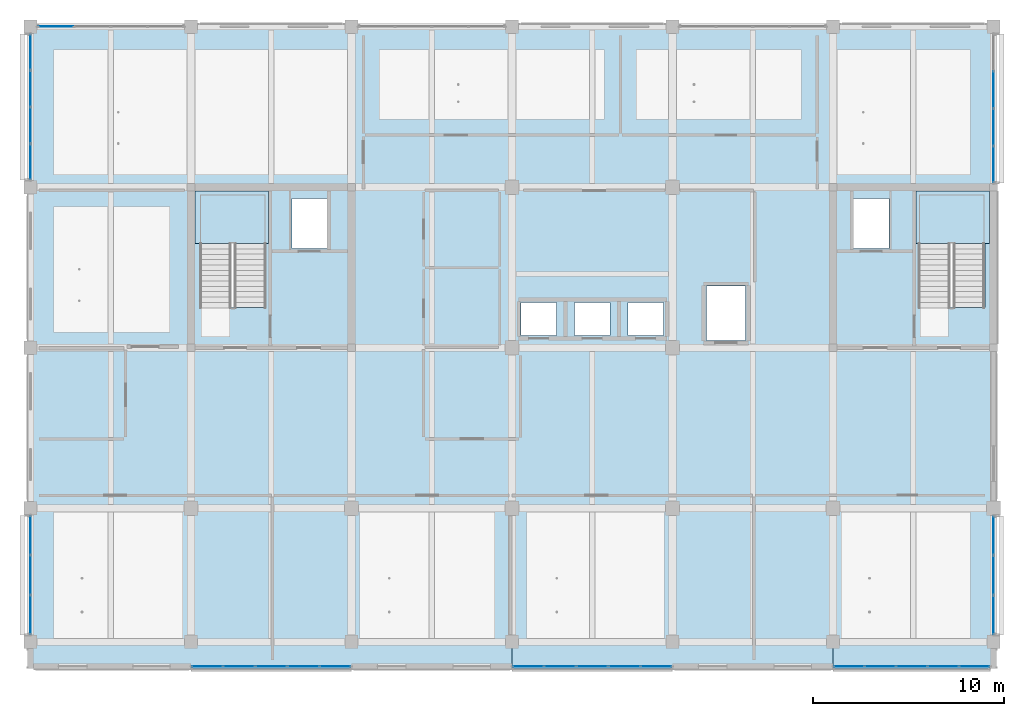
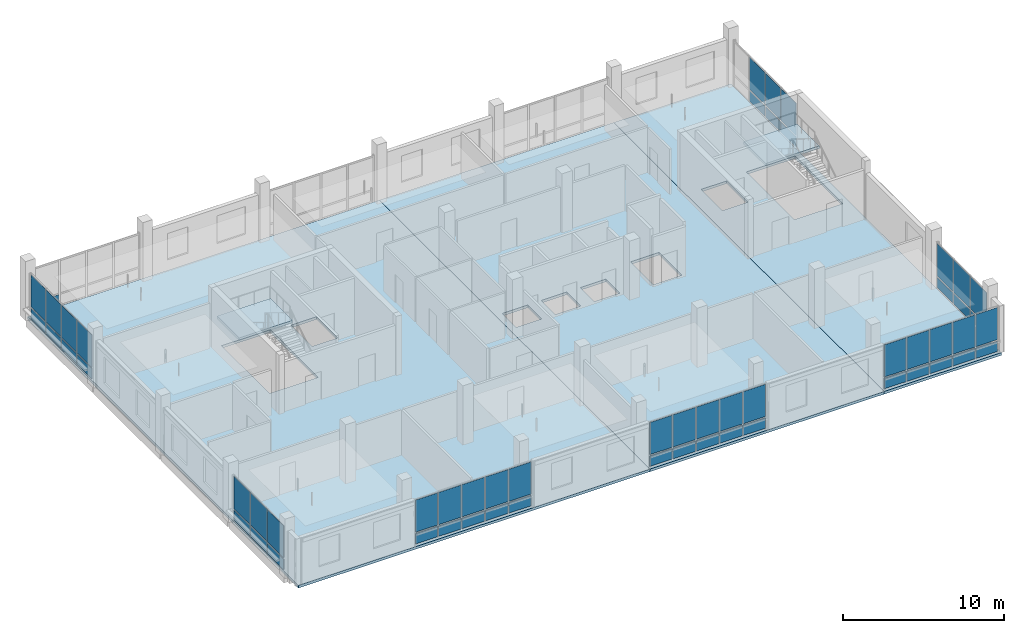
# One storey, part 10 of 32: 57 plates, 5 slabs, 10 elements without a shape of their own.
"""IFC4 building model written with IfcOpenShell, lengths in metres."""

from ifc_helpers import new_model, si_unit, direction, frame, origin, origin_2d, place, context, subcontext, project, spatial, polyline, rectangle, outline, extrude, material, layer, layer_set, type_object, element, aggregate, save


model = new_model("IFC4")

# Units and contexts
model_context = context("Model", 3, precision=1e-05, world=origin(), true_north=direction((0.0, 1.0)))
body_context = subcontext(model_context, "Body", "Model", "MODEL_VIEW")
ifc_project = project(units=[si_unit("LENGTHUNIT", "METRE"), si_unit("AREAUNIT", "SQUARE_METRE"), si_unit("VOLUMEUNIT", "CUBIC_METRE"), si_unit("PLANEANGLEUNIT", "RADIAN"), si_unit("MASSUNIT", "GRAM", prefix="KILO")], contexts=[model_context])

# Site, building, storey
site_placement = place(None, origin())
site = spatial("IfcSite", under=ifc_project, at=site_placement, CompositionType="ELEMENT")
building_placement = place(site_placement, origin())
building = spatial("IfcBuilding", under=site, at=building_placement, Name="Telukmera Botanical Conservatory", CompositionType="ELEMENT")
storey_placement = place(building_placement, frame((0.0, 0.0, 42.0)))
storey = spatial("IfcBuildingStorey", under=building, at=storey_placement, Name="L09", CompositionType="ELEMENT", Elevation=42.0)

# Stair, slab
ifc_material_1 = material(Name="Concrete C40/50", Category="concrete")
stair_type = type_object("IfcStairType", Name="ST-ESC-4500", PredefinedType="HALF_TURN_STAIR", material=ifc_material_1)
stair_1_placement = place(storey_placement, origin())
stair_1 = element("IfcStair", 1, at=stair_1_placement, inside=storey, type_object=stair_type, Name="L09 Protected Escape Stair ST1", PredefinedType="HALF_TURN_STAIR")
ifc_layer_1 = layer(ifc_material_1, 0.199951171875)
ifc_layer_set_1 = layer_set([ifc_layer_1], Name="Concrete C40/50")
slab_type_1 = type_object("IfcSlabType", Name="SL-LAND-200", PredefinedType="LANDING", material=ifc_layer_set_1)
slab_1_placement = place(storey_placement, frame((0.0, 0.0, 2.050048828125)))
slab_1 = element("IfcSlab", 2, at=slab_1_placement, type_object=slab_type_1, Name="ST1 landing 1", PredefinedType="LANDING", context=body_context, shape_type="SweptSolid", body=[
    extrude(outline(polyline([(59.0048828125, 31.449951171875), (62.844970703125, 31.449951171875), (62.844970703125, 34.195068359375), (59.0048828125, 34.195068359375), (59.0048828125, 31.449951171875)])), origin(), (0.0, 0.0, 1.0), 0.199951171875),
])
aggregate(stair_1, [slab_1])

stair_2_placement = place(storey_placement, origin())
stair_2 = element("IfcStair", 3, at=stair_2_placement, inside=storey, type_object=stair_type, Name="L09 Protected Escape Stair ST2", PredefinedType="HALF_TURN_STAIR")
slab_2_placement = place(storey_placement, frame((0.0, 0.0, 2.050048828125)))
slab_2 = element("IfcSlab", 4, at=slab_2_placement, type_object=slab_type_1, Name="ST2 landing 1", PredefinedType="LANDING", context=body_context, shape_type="SweptSolid", body=[
    extrude(outline(polyline([(96.7548828125, 31.449951171875), (100.594970703125, 31.449951171875), (100.594970703125, 34.195068359375), (96.7548828125, 34.195068359375), (96.7548828125, 31.449951171875)])), origin(), (0.0, 0.0, 1.0), 0.199951171875),
])
aggregate(stair_2, [slab_2])

# Slabs
ifc_layer_2 = layer(ifc_material_1, 0.199951171875)
ifc_layer_set_2 = layer_set([ifc_layer_2], Name="Concrete C40/50")
slab_type_2 = type_object("IfcSlabType", Name="Slab_FS20", PredefinedType="FLOOR", material=ifc_layer_set_2)
slab_3_placement = place(storey_placement, frame((0.0, 0.0, -0.199951171875)))
element("IfcSlab", 5, at=slab_3_placement, inside=storey, type_object=slab_type_2, Name="Tower Floor Slab L09 (WEST)", PredefinedType="FLOOR", context=body_context, shape_type="SweptSolid", body=[
    extrude(outline(polyline([(50.39990234375, 9.199951171875), (75.60009765625, 9.199951171875), (75.60009765625, 42.800048828125), (50.39990234375, 42.800048828125), (50.39990234375, 9.199951171875)]), holes=[polyline([(62.72998046875, 28.093017578125), (62.72998046875, 34.050048828125), (59.25, 34.050048828125), (59.25, 28.093017578125), (62.72998046875, 28.093017578125)]), polyline([(64.080078125, 31.179931640625), (65.919921875, 31.179931640625), (65.919921875, 33.820068359375), (64.080078125, 33.820068359375), (64.080078125, 31.179931640625)])]), origin(), (0.0, 0.0, 1.0), 0.199951171875),
])
slab_4_placement = place(storey_placement, frame((0.0, 0.0, -0.199951171875)))
element("IfcSlab", 6, at=slab_4_placement, inside=storey, type_object=slab_type_2, Name="Tower Floor Slab L09 (CENT)", PredefinedType="FLOOR", context=body_context, shape_type="SweptSolid", body=[
    extrude(outline(polyline([(75.60009765625, 9.199951171875), (92.39990234375, 9.199951171875), (92.39990234375, 42.800048828125), (75.60009765625, 42.800048828125), (75.60009765625, 9.199951171875)]), holes=[polyline([(85.780029296875, 26.3798828125), (87.820068359375, 26.3798828125), (87.820068359375, 29.219970703125), (85.780029296875, 29.219970703125), (85.780029296875, 26.3798828125)]), polyline([(76.080078125, 26.6298828125), (77.919921875, 26.6298828125), (77.919921875, 28.3701171875), (76.080078125, 28.3701171875), (76.080078125, 26.6298828125)]), polyline([(78.8798828125, 26.6298828125), (80.719970703125, 26.6298828125), (80.719970703125, 28.3701171875), (78.8798828125, 28.3701171875), (78.8798828125, 26.6298828125)]), polyline([(81.679931640625, 26.6298828125), (83.52001953125, 26.6298828125), (83.52001953125, 28.3701171875), (81.679931640625, 28.3701171875), (81.679931640625, 26.6298828125)])]), origin(), (0.0, 0.0, 1.0), 0.199951171875),
])
slab_5_placement = place(storey_placement, frame((0.0, 0.0, -0.199951171875)))
element("IfcSlab", 7, at=slab_5_placement, inside=storey, type_object=slab_type_2, Name="Tower Floor Slab L09 (EAST)", PredefinedType="FLOOR", context=body_context, shape_type="SweptSolid", body=[
    extrude(outline(polyline([(92.39990234375, 9.199951171875), (100.800048828125, 9.199951171875), (100.800048828125, 42.800048828125), (92.39990234375, 42.800048828125), (92.39990234375, 9.199951171875)]), holes=[polyline([(100.35009765625, 28.093017578125), (100.35009765625, 34.050048828125), (96.8701171875, 34.050048828125), (96.8701171875, 28.093017578125), (100.35009765625, 28.093017578125)]), polyline([(93.47998046875, 31.179931640625), (95.320068359375, 31.179931640625), (95.320068359375, 33.820068359375), (93.47998046875, 33.820068359375), (93.47998046875, 31.179931640625)])]), origin(), (0.0, 0.0, 1.0), 0.199951171875),
])

# Curtain wall, plates
ifc_material_2 = material(Name="Anodised aluminium 6063-T6", Category="aluminium")
ifc_layer_3 = layer(ifc_material_2, 0.179931640625)
ifc_layer_set_3 = layer_set([ifc_layer_3], Name="Anodised aluminium 6063-T6")
curtain_wall_type = type_object("IfcCurtainWallType", Name="Tower Research Laboratory Unitised Curtain Wall", PredefinedType="USERDEFINED", material=ifc_layer_set_3)
curtain_wall_1_placement = place(storey_placement, origin())
curtain_wall_1 = element("IfcCurtainWall", 8, at=curtain_wall_1_placement, inside=storey, type_object=curtain_wall_type, Name="Unitised Curtain Wall CW15 V4:L09:S2", ObjectType="UNITISED CURTAIN WALL", PredefinedType="USERDEFINED")
ifc_material_3 = material(Name="Spectrally selective low-E double glazing", Category="glass")
ifc_layer_4 = layer(ifc_material_3, 0.028076171875)
ifc_layer_set_4 = layer_set([ifc_layer_4], Name="Spectrally selective low-E double glazing")
plate_type = type_object("IfcPlateType", Name="Spectrally Selective Vision Double Glazing Panel 28", PredefinedType="CURTAIN_PANEL", material=ifc_layer_set_4)
plate_1_placement = place(storey_placement, frame((59.656494140625, 9.320068359375, 0.10986328125), z_axis=(0.0, 0.0, 1.0), x_axis=(1.0, 0.0, 0.0)))
plate_1 = element("IfcPlate", 9, at=plate_1_placement, type_object=plate_type, Name="CW15 panel 1.1", PredefinedType="CURTAIN_PANEL", context=body_context, shape_type="SweptSolid", body=[
    extrude(rectangle(XDim=1.589111328125, YDim=0.028076171875, at=origin_2d()), origin(), (0.0, 0.0, 1.0), 0.784912109375),
])
plate_2_placement = place(storey_placement, frame((59.656494140625, 9.320068359375, 1.0048828125), z_axis=(0.0, 0.0, 1.0), x_axis=(1.0, 0.0, 0.0)))
plate_2 = element("IfcPlate", 10, at=plate_2_placement, type_object=plate_type, Name="CW15 panel 1.2", PredefinedType="CURTAIN_PANEL", context=body_context, shape_type="SweptSolid", body=[
    extrude(rectangle(XDim=1.589111328125, YDim=0.028076171875, at=origin_2d()), origin(), (0.0, 0.0, 1.0), 2.43505859375),
])
plate_3_placement = place(storey_placement, frame((61.32080078125, 9.320068359375, 0.10986328125), z_axis=(0.0, 0.0, 1.0), x_axis=(1.0, 0.0, 0.0)))
plate_3 = element("IfcPlate", 11, at=plate_3_placement, type_object=plate_type, Name="CW15 panel 2.1", PredefinedType="CURTAIN_PANEL", context=body_context, shape_type="SweptSolid", body=[
    extrude(rectangle(XDim=1.619140625, YDim=0.028076171875, at=origin_2d()), origin(), (0.0, 0.0, 1.0), 0.784912109375),
])
plate_4_placement = place(storey_placement, frame((61.32080078125, 9.320068359375, 1.0048828125), z_axis=(0.0, 0.0, 1.0), x_axis=(1.0, 0.0, 0.0)))
plate_4 = element("IfcPlate", 12, at=plate_4_placement, type_object=plate_type, Name="CW15 panel 2.2", PredefinedType="CURTAIN_PANEL", context=body_context, shape_type="SweptSolid", body=[
    extrude(rectangle(XDim=1.619140625, YDim=0.028076171875, at=origin_2d()), origin(), (0.0, 0.0, 1.0), 2.43505859375),
])
plate_5_placement = place(storey_placement, frame((63.0, 9.320068359375, 0.10986328125), z_axis=(0.0, 0.0, 1.0), x_axis=(1.0, 0.0, 0.0)))
plate_5 = element("IfcPlate", 13, at=plate_5_placement, type_object=plate_type, Name="CW15 panel 3.1", PredefinedType="CURTAIN_PANEL", context=body_context, shape_type="SweptSolid", body=[
    extrude(rectangle(XDim=1.619140625, YDim=0.028076171875, at=origin_2d()), origin(), (0.0, 0.0, 1.0), 0.784912109375),
])
plate_6_placement = place(storey_placement, frame((63.0, 9.320068359375, 1.0048828125), z_axis=(0.0, 0.0, 1.0), x_axis=(1.0, 0.0, 0.0)))
plate_6 = element("IfcPlate", 14, at=plate_6_placement, type_object=plate_type, Name="CW15 panel 3.2", PredefinedType="CURTAIN_PANEL", context=body_context, shape_type="SweptSolid", body=[
    extrude(rectangle(XDim=1.619140625, YDim=0.028076171875, at=origin_2d()), origin(), (0.0, 0.0, 1.0), 2.43505859375),
])
plate_7_placement = place(storey_placement, frame((64.67919921875, 9.320068359375, 0.10986328125), z_axis=(0.0, 0.0, 1.0), x_axis=(1.0, 0.0, 0.0)))
plate_7 = element("IfcPlate", 15, at=plate_7_placement, type_object=plate_type, Name="CW15 panel 4.1", PredefinedType="CURTAIN_PANEL", context=body_context, shape_type="SweptSolid", body=[
    extrude(rectangle(XDim=1.619140625, YDim=0.028076171875, at=origin_2d()), origin(), (0.0, 0.0, 1.0), 0.784912109375),
])
plate_8_placement = place(storey_placement, frame((64.67919921875, 9.320068359375, 1.0048828125), z_axis=(0.0, 0.0, 1.0), x_axis=(1.0, 0.0, 0.0)))
plate_8 = element("IfcPlate", 16, at=plate_8_placement, type_object=plate_type, Name="CW15 panel 4.2", PredefinedType="CURTAIN_PANEL", context=body_context, shape_type="SweptSolid", body=[
    extrude(rectangle(XDim=1.619140625, YDim=0.028076171875, at=origin_2d()), origin(), (0.0, 0.0, 1.0), 2.43505859375),
])
plate_9_placement = place(storey_placement, frame((66.343505859375, 9.320068359375, 0.10986328125), z_axis=(0.0, 0.0, 1.0), x_axis=(1.0, 0.0, 0.0)))
plate_9 = element("IfcPlate", 17, at=plate_9_placement, type_object=plate_type, Name="CW15 panel 5.1", PredefinedType="CURTAIN_PANEL", context=body_context, shape_type="SweptSolid", body=[
    extrude(rectangle(XDim=1.589111328125, YDim=0.028076171875, at=origin_2d()), origin(), (0.0, 0.0, 1.0), 0.784912109375),
])
plate_10_placement = place(storey_placement, frame((66.343505859375, 9.320068359375, 1.0048828125), z_axis=(0.0, 0.0, 1.0), x_axis=(1.0, 0.0, 0.0)))
plate_10 = element("IfcPlate", 18, at=plate_10_placement, type_object=plate_type, Name="CW15 panel 5.2", PredefinedType="CURTAIN_PANEL", context=body_context, shape_type="SweptSolid", body=[
    extrude(rectangle(XDim=1.589111328125, YDim=0.028076171875, at=origin_2d()), origin(), (0.0, 0.0, 1.0), 2.43505859375),
])
aggregate(curtain_wall_1, [plate_1, plate_2, plate_3, plate_4, plate_5, plate_6, plate_7, plate_8, plate_9, plate_10])

curtain_wall_2_placement = place(storey_placement, origin())
curtain_wall_2 = element("IfcCurtainWall", 19, at=curtain_wall_2_placement, inside=storey, type_object=curtain_wall_type, Name="Unitised Curtain Wall CW15 V4:L09:S4", ObjectType="UNITISED CURTAIN WALL", PredefinedType="USERDEFINED")
plate_11_placement = place(storey_placement, frame((76.45654296875, 9.320068359375, 0.10986328125), z_axis=(0.0, 0.0, 1.0), x_axis=(1.0, 0.0, 0.0)))
plate_11 = element("IfcPlate", 20, at=plate_11_placement, type_object=plate_type, Name="CW15 panel 1.1", PredefinedType="CURTAIN_PANEL", context=body_context, shape_type="SweptSolid", body=[
    extrude(rectangle(XDim=1.589111328125, YDim=0.028076171875, at=origin_2d()), origin(), (0.0, 0.0, 1.0), 0.784912109375),
])
plate_12_placement = place(storey_placement, frame((76.45654296875, 9.320068359375, 1.0048828125), z_axis=(0.0, 0.0, 1.0), x_axis=(1.0, 0.0, 0.0)))
plate_12 = element("IfcPlate", 21, at=plate_12_placement, type_object=plate_type, Name="CW15 panel 1.2", PredefinedType="CURTAIN_PANEL", context=body_context, shape_type="SweptSolid", body=[
    extrude(rectangle(XDim=1.589111328125, YDim=0.028076171875, at=origin_2d()), origin(), (0.0, 0.0, 1.0), 2.43505859375),
])
plate_13_placement = place(storey_placement, frame((78.120849609375, 9.320068359375, 0.10986328125), z_axis=(0.0, 0.0, 1.0), x_axis=(1.0, 0.0, 0.0)))
plate_13 = element("IfcPlate", 22, at=plate_13_placement, type_object=plate_type, Name="CW15 panel 2.1", PredefinedType="CURTAIN_PANEL", context=body_context, shape_type="SweptSolid", body=[
    extrude(rectangle(XDim=1.619140625, YDim=0.028076171875, at=origin_2d()), origin(), (0.0, 0.0, 1.0), 0.784912109375),
])
plate_14_placement = place(storey_placement, frame((78.120849609375, 9.320068359375, 1.0048828125), z_axis=(0.0, 0.0, 1.0), x_axis=(1.0, 0.0, 0.0)))
plate_14 = element("IfcPlate", 23, at=plate_14_placement, type_object=plate_type, Name="CW15 panel 2.2", PredefinedType="CURTAIN_PANEL", context=body_context, shape_type="SweptSolid", body=[
    extrude(rectangle(XDim=1.619140625, YDim=0.028076171875, at=origin_2d()), origin(), (0.0, 0.0, 1.0), 2.43505859375),
])
plate_15_placement = place(storey_placement, frame((79.800048828125, 9.320068359375, 0.10986328125), z_axis=(0.0, 0.0, 1.0), x_axis=(1.0, 0.0, 0.0)))
plate_15 = element("IfcPlate", 24, at=plate_15_placement, type_object=plate_type, Name="CW15 panel 3.1", PredefinedType="CURTAIN_PANEL", context=body_context, shape_type="SweptSolid", body=[
    extrude(rectangle(XDim=1.619140625, YDim=0.028076171875, at=origin_2d()), origin(), (0.0, 0.0, 1.0), 0.784912109375),
])
plate_16_placement = place(storey_placement, frame((79.800048828125, 9.320068359375, 1.0048828125), z_axis=(0.0, 0.0, 1.0), x_axis=(1.0, 0.0, 0.0)))
plate_16 = element("IfcPlate", 25, at=plate_16_placement, type_object=plate_type, Name="CW15 panel 3.2", PredefinedType="CURTAIN_PANEL", context=body_context, shape_type="SweptSolid", body=[
    extrude(rectangle(XDim=1.619140625, YDim=0.028076171875, at=origin_2d()), origin(), (0.0, 0.0, 1.0), 2.43505859375),
])
plate_17_placement = place(storey_placement, frame((81.479248046875, 9.320068359375, 0.10986328125), z_axis=(0.0, 0.0, 1.0), x_axis=(1.0, 0.0, 0.0)))
plate_17 = element("IfcPlate", 26, at=plate_17_placement, type_object=plate_type, Name="CW15 panel 4.1", PredefinedType="CURTAIN_PANEL", context=body_context, shape_type="SweptSolid", body=[
    extrude(rectangle(XDim=1.619140625, YDim=0.028076171875, at=origin_2d()), origin(), (0.0, 0.0, 1.0), 0.784912109375),
])
plate_18_placement = place(storey_placement, frame((81.479248046875, 9.320068359375, 1.0048828125), z_axis=(0.0, 0.0, 1.0), x_axis=(1.0, 0.0, 0.0)))
plate_18 = element("IfcPlate", 27, at=plate_18_placement, type_object=plate_type, Name="CW15 panel 4.2", PredefinedType="CURTAIN_PANEL", context=body_context, shape_type="SweptSolid", body=[
    extrude(rectangle(XDim=1.619140625, YDim=0.028076171875, at=origin_2d()), origin(), (0.0, 0.0, 1.0), 2.43505859375),
])
plate_19_placement = place(storey_placement, frame((83.143310546875, 9.320068359375, 0.10986328125), z_axis=(0.0, 0.0, 1.0), x_axis=(1.0, 0.0, 0.0)))
plate_19 = element("IfcPlate", 28, at=plate_19_placement, type_object=plate_type, Name="CW15 panel 5.1", PredefinedType="CURTAIN_PANEL", context=body_context, shape_type="SweptSolid", body=[
    extrude(rectangle(XDim=1.589111328125, YDim=0.028076171875, at=origin_2d()), origin(), (0.0, 0.0, 1.0), 0.784912109375),
])
plate_20_placement = place(storey_placement, frame((83.143310546875, 9.320068359375, 1.0048828125), z_axis=(0.0, 0.0, 1.0), x_axis=(1.0, 0.0, 0.0)))
plate_20 = element("IfcPlate", 29, at=plate_20_placement, type_object=plate_type, Name="CW15 panel 5.2", PredefinedType="CURTAIN_PANEL", context=body_context, shape_type="SweptSolid", body=[
    extrude(rectangle(XDim=1.589111328125, YDim=0.028076171875, at=origin_2d()), origin(), (0.0, 0.0, 1.0), 2.43505859375),
])
aggregate(curtain_wall_2, [plate_11, plate_12, plate_13, plate_14, plate_15, plate_16, plate_17, plate_18, plate_19, plate_20])

curtain_wall_3_placement = place(storey_placement, origin())
curtain_wall_3 = element("IfcCurtainWall", 30, at=curtain_wall_3_placement, inside=storey, type_object=curtain_wall_type, Name="Unitised Curtain Wall CW15 V4:L09:S6", ObjectType="UNITISED CURTAIN WALL", PredefinedType="USERDEFINED")
plate_21_placement = place(storey_placement, frame((93.24169921875, 9.320068359375, 0.10986328125), z_axis=(0.0, 0.0, 1.0), x_axis=(1.0, 0.0, 0.0)))
plate_21 = element("IfcPlate", 31, at=plate_21_placement, type_object=plate_type, Name="CW15 panel 1.1", PredefinedType="CURTAIN_PANEL", context=body_context, shape_type="SweptSolid", body=[
    extrude(rectangle(XDim=1.55908203125, YDim=0.028076171875, at=origin_2d()), origin(), (0.0, 0.0, 1.0), 0.784912109375),
])
plate_22_placement = place(storey_placement, frame((93.24169921875, 9.320068359375, 1.0048828125), z_axis=(0.0, 0.0, 1.0), x_axis=(1.0, 0.0, 0.0)))
plate_22 = element("IfcPlate", 32, at=plate_22_placement, type_object=plate_type, Name="CW15 panel 1.2", PredefinedType="CURTAIN_PANEL", context=body_context, shape_type="SweptSolid", body=[
    extrude(rectangle(XDim=1.55908203125, YDim=0.028076171875, at=origin_2d()), origin(), (0.0, 0.0, 1.0), 2.43505859375),
])
plate_23_placement = place(storey_placement, frame((94.875732421875, 9.320068359375, 0.10986328125), z_axis=(0.0, 0.0, 1.0), x_axis=(1.0, 0.0, 0.0)))
plate_23 = element("IfcPlate", 33, at=plate_23_placement, type_object=plate_type, Name="CW15 panel 2.1", PredefinedType="CURTAIN_PANEL", context=body_context, shape_type="SweptSolid", body=[
    extrude(rectangle(XDim=1.589111328125, YDim=0.028076171875, at=origin_2d()), origin(), (0.0, 0.0, 1.0), 0.784912109375),
])
plate_24_placement = place(storey_placement, frame((94.875732421875, 9.320068359375, 1.0048828125), z_axis=(0.0, 0.0, 1.0), x_axis=(1.0, 0.0, 0.0)))
plate_24 = element("IfcPlate", 34, at=plate_24_placement, type_object=plate_type, Name="CW15 panel 2.2", PredefinedType="CURTAIN_PANEL", context=body_context, shape_type="SweptSolid", body=[
    extrude(rectangle(XDim=1.589111328125, YDim=0.028076171875, at=origin_2d()), origin(), (0.0, 0.0, 1.0), 2.43505859375),
])
plate_25_placement = place(storey_placement, frame((96.52490234375, 9.320068359375, 0.10986328125), z_axis=(0.0, 0.0, 1.0), x_axis=(1.0, 0.0, 0.0)))
plate_25 = element("IfcPlate", 35, at=plate_25_placement, type_object=plate_type, Name="CW15 panel 3.1", PredefinedType="CURTAIN_PANEL", context=body_context, shape_type="SweptSolid", body=[
    extrude(rectangle(XDim=1.589111328125, YDim=0.028076171875, at=origin_2d()), origin(), (0.0, 0.0, 1.0), 0.784912109375),
])
plate_26_placement = place(storey_placement, frame((96.52490234375, 9.320068359375, 1.0048828125), z_axis=(0.0, 0.0, 1.0), x_axis=(1.0, 0.0, 0.0)))
plate_26 = element("IfcPlate", 36, at=plate_26_placement, type_object=plate_type, Name="CW15 panel 3.2", PredefinedType="CURTAIN_PANEL", context=body_context, shape_type="SweptSolid", body=[
    extrude(rectangle(XDim=1.589111328125, YDim=0.028076171875, at=origin_2d()), origin(), (0.0, 0.0, 1.0), 2.43505859375),
])
plate_27_placement = place(storey_placement, frame((98.17431640625, 9.320068359375, 0.10986328125), z_axis=(0.0, 0.0, 1.0), x_axis=(1.0, 0.0, 0.0)))
plate_27 = element("IfcPlate", 37, at=plate_27_placement, type_object=plate_type, Name="CW15 panel 4.1", PredefinedType="CURTAIN_PANEL", context=body_context, shape_type="SweptSolid", body=[
    extrude(rectangle(XDim=1.589111328125, YDim=0.028076171875, at=origin_2d()), origin(), (0.0, 0.0, 1.0), 0.784912109375),
])
plate_28_placement = place(storey_placement, frame((98.17431640625, 9.320068359375, 1.0048828125), z_axis=(0.0, 0.0, 1.0), x_axis=(1.0, 0.0, 0.0)))
plate_28 = element("IfcPlate", 38, at=plate_28_placement, type_object=plate_type, Name="CW15 panel 4.2", PredefinedType="CURTAIN_PANEL", context=body_context, shape_type="SweptSolid", body=[
    extrude(rectangle(XDim=1.589111328125, YDim=0.028076171875, at=origin_2d()), origin(), (0.0, 0.0, 1.0), 2.43505859375),
])
plate_29_placement = place(storey_placement, frame((99.808349609375, 9.320068359375, 0.10986328125), z_axis=(0.0, 0.0, 1.0), x_axis=(1.0, 0.0, 0.0)))
plate_29 = element("IfcPlate", 39, at=plate_29_placement, type_object=plate_type, Name="CW15 panel 5.1", PredefinedType="CURTAIN_PANEL", context=body_context, shape_type="SweptSolid", body=[
    extrude(rectangle(XDim=1.55908203125, YDim=0.028076171875, at=origin_2d()), origin(), (0.0, 0.0, 1.0), 0.784912109375),
])
plate_30_placement = place(storey_placement, frame((99.808349609375, 9.320068359375, 1.0048828125), z_axis=(0.0, 0.0, 1.0), x_axis=(1.0, 0.0, 0.0)))
plate_30 = element("IfcPlate", 40, at=plate_30_placement, type_object=plate_type, Name="CW15 panel 5.2", PredefinedType="CURTAIN_PANEL", context=body_context, shape_type="SweptSolid", body=[
    extrude(rectangle(XDim=1.55908203125, YDim=0.028076171875, at=origin_2d()), origin(), (0.0, 0.0, 1.0), 2.43505859375),
])
aggregate(curtain_wall_3, [plate_21, plate_22, plate_23, plate_24, plate_25, plate_26, plate_27, plate_28, plate_29, plate_30])

# Curtain wall, plate
curtain_wall_4_placement = place(storey_placement, origin())
curtain_wall_4 = element("IfcCurtainWall", 41, at=curtain_wall_4_placement, inside=storey, type_object=curtain_wall_type, Name="Unitised Curtain Wall CW15 V4:L09:N1", ObjectType="UNITISED CURTAIN WALL", PredefinedType="USERDEFINED")
plate_31_placement = place(storey_placement, frame((51.72900390625, 42.800048828125, 0.10986328125), z_axis=(0.0, 0.0, 1.0), x_axis=(1.0, 0.0, 0.0)))
plate_31 = element("IfcPlate", 42, at=plate_31_placement, type_object=plate_type, Name="CW15 panel 1.1", PredefinedType="CURTAIN_PANEL", context=body_context, shape_type="SweptSolid", body=[
    extrude(rectangle(XDim=1.833984375, YDim=0.028076171875, at=origin_2d()), origin(), (0.0, 0.0, 1.0), 0.784912109375),
])
aggregate(curtain_wall_4, [plate_31])

# Curtain wall, plates
curtain_wall_5_placement = place(storey_placement, origin())
curtain_wall_5 = element("IfcCurtainWall", 43, at=curtain_wall_5_placement, inside=storey, type_object=curtain_wall_type, Name="Unitised Curtain Wall CW15 V4:L09:W1", ObjectType="UNITISED CURTAIN WALL", PredefinedType="USERDEFINED")
plate_32_placement = place(storey_placement, frame((50.39990234375, 12.016357421875, 0.10986328125), z_axis=(0.0, 0.0, 1.0), x_axis=(0.0, 1.0, 0.0)))
plate_32 = element("IfcPlate", 44, at=plate_32_placement, type_object=plate_type, Name="CW15 panel 1.1", PredefinedType="CURTAIN_PANEL", context=body_context, shape_type="SweptSolid", body=[
    extrude(rectangle(XDim=2.008544921875, YDim=0.028076171875, at=origin_2d()), origin(), (0.0, 0.0, 1.0), 0.784912109375),
])
plate_33_placement = place(storey_placement, frame((50.39990234375, 12.016357421875, 1.0048828125), z_axis=(0.0, 0.0, 1.0), x_axis=(0.0, 1.0, 0.0)))
plate_33 = element("IfcPlate", 45, at=plate_33_placement, type_object=plate_type, Name="CW15 panel 1.2", PredefinedType="CURTAIN_PANEL", context=body_context, shape_type="SweptSolid", body=[
    extrude(rectangle(XDim=2.008544921875, YDim=0.028076171875, at=origin_2d()), origin(), (0.0, 0.0, 1.0), 2.43505859375),
])
plate_34_placement = place(storey_placement, frame((50.39990234375, 14.10009765625, 0.10986328125), z_axis=(0.0, 0.0, 1.0), x_axis=(0.0, 1.0, 0.0)))
plate_34 = element("IfcPlate", 46, at=plate_34_placement, type_object=plate_type, Name="CW15 panel 2.1", PredefinedType="CURTAIN_PANEL", context=body_context, shape_type="SweptSolid", body=[
    extrude(rectangle(XDim=2.03857421875, YDim=0.028076171875, at=origin_2d()), origin(), (0.0, 0.0, 1.0), 0.784912109375),
])
plate_35_placement = place(storey_placement, frame((50.39990234375, 14.10009765625, 1.0048828125), z_axis=(0.0, 0.0, 1.0), x_axis=(0.0, 1.0, 0.0)))
plate_35 = element("IfcPlate", 47, at=plate_35_placement, type_object=plate_type, Name="CW15 panel 2.2", PredefinedType="CURTAIN_PANEL", context=body_context, shape_type="SweptSolid", body=[
    extrude(rectangle(XDim=2.03857421875, YDim=0.028076171875, at=origin_2d()), origin(), (0.0, 0.0, 1.0), 2.43505859375),
])
plate_36_placement = place(storey_placement, frame((50.39990234375, 16.18359375, 0.10986328125), z_axis=(0.0, 0.0, 1.0), x_axis=(0.0, 1.0, 0.0)))
plate_36 = element("IfcPlate", 48, at=plate_36_placement, type_object=plate_type, Name="CW15 panel 3.1", PredefinedType="CURTAIN_PANEL", context=body_context, shape_type="SweptSolid", body=[
    extrude(rectangle(XDim=2.008544921875, YDim=0.028076171875, at=origin_2d()), origin(), (0.0, 0.0, 1.0), 0.784912109375),
])
plate_37_placement = place(storey_placement, frame((50.39990234375, 16.18359375, 1.0048828125), z_axis=(0.0, 0.0, 1.0), x_axis=(0.0, 1.0, 0.0)))
plate_37 = element("IfcPlate", 49, at=plate_37_placement, type_object=plate_type, Name="CW15 panel 3.2", PredefinedType="CURTAIN_PANEL", context=body_context, shape_type="SweptSolid", body=[
    extrude(rectangle(XDim=2.008544921875, YDim=0.028076171875, at=origin_2d()), origin(), (0.0, 0.0, 1.0), 2.43505859375),
])
aggregate(curtain_wall_5, [plate_32, plate_33, plate_34, plate_35, plate_36, plate_37])

curtain_wall_6_placement = place(storey_placement, origin())
curtain_wall_6 = element("IfcCurtainWall", 50, at=curtain_wall_6_placement, inside=storey, type_object=curtain_wall_type, Name="Unitised Curtain Wall CW15 V4:L09:E1", ObjectType="UNITISED CURTAIN WALL", PredefinedType="USERDEFINED")
plate_38_placement = place(storey_placement, frame((100.800048828125, 12.01220703125, 0.10986328125), z_axis=(0.0, 0.0, 1.0), x_axis=(0.0, 1.0, 0.0)))
plate_38 = element("IfcPlate", 51, at=plate_38_placement, type_object=plate_type, Name="CW15 panel 1.1", PredefinedType="CURTAIN_PANEL", context=body_context, shape_type="SweptSolid", body=[
    extrude(rectangle(XDim=2.000244140625, YDim=0.028076171875, at=origin_2d()), origin(), (0.0, 0.0, 1.0), 0.784912109375),
])
plate_39_placement = place(storey_placement, frame((100.800048828125, 12.01220703125, 1.0048828125), z_axis=(0.0, 0.0, 1.0), x_axis=(0.0, 1.0, 0.0)))
plate_39 = element("IfcPlate", 52, at=plate_39_placement, type_object=plate_type, Name="CW15 panel 1.2", PredefinedType="CURTAIN_PANEL", context=body_context, shape_type="SweptSolid", body=[
    extrude(rectangle(XDim=2.000244140625, YDim=0.028076171875, at=origin_2d()), origin(), (0.0, 0.0, 1.0), 2.43505859375),
])
plate_40_placement = place(storey_placement, frame((100.800048828125, 14.08740234375, 0.10986328125), z_axis=(0.0, 0.0, 1.0), x_axis=(0.0, 1.0, 0.0)))
plate_40 = element("IfcPlate", 53, at=plate_40_placement, type_object=plate_type, Name="CW15 panel 2.1", PredefinedType="CURTAIN_PANEL", context=body_context, shape_type="SweptSolid", body=[
    extrude(rectangle(XDim=2.0302734375, YDim=0.028076171875, at=origin_2d()), origin(), (0.0, 0.0, 1.0), 0.784912109375),
])
plate_41_placement = place(storey_placement, frame((100.800048828125, 14.08740234375, 1.0048828125), z_axis=(0.0, 0.0, 1.0), x_axis=(0.0, 1.0, 0.0)))
plate_41 = element("IfcPlate", 54, at=plate_41_placement, type_object=plate_type, Name="CW15 panel 2.2", PredefinedType="CURTAIN_PANEL", context=body_context, shape_type="SweptSolid", body=[
    extrude(rectangle(XDim=2.0302734375, YDim=0.028076171875, at=origin_2d()), origin(), (0.0, 0.0, 1.0), 2.43505859375),
])
plate_42_placement = place(storey_placement, frame((100.800048828125, 16.162841796875, 0.10986328125), z_axis=(0.0, 0.0, 1.0), x_axis=(0.0, 1.0, 0.0)))
plate_42 = element("IfcPlate", 55, at=plate_42_placement, type_object=plate_type, Name="CW15 panel 3.1", PredefinedType="CURTAIN_PANEL", context=body_context, shape_type="SweptSolid", body=[
    extrude(rectangle(XDim=2.000244140625, YDim=0.028076171875, at=origin_2d()), origin(), (0.0, 0.0, 1.0), 0.784912109375),
])
plate_43_placement = place(storey_placement, frame((100.800048828125, 16.162841796875, 1.0048828125), z_axis=(0.0, 0.0, 1.0), x_axis=(0.0, 1.0, 0.0)))
plate_43 = element("IfcPlate", 56, at=plate_43_placement, type_object=plate_type, Name="CW15 panel 3.2", PredefinedType="CURTAIN_PANEL", context=body_context, shape_type="SweptSolid", body=[
    extrude(rectangle(XDim=2.000244140625, YDim=0.028076171875, at=origin_2d()), origin(), (0.0, 0.0, 1.0), 2.43505859375),
])
aggregate(curtain_wall_6, [plate_38, plate_39, plate_40, plate_41, plate_42, plate_43])

curtain_wall_7_placement = place(storey_placement, origin())
curtain_wall_7 = element("IfcCurtainWall", 57, at=curtain_wall_7_placement, inside=storey, type_object=curtain_wall_type, Name="Unitised Curtain Wall CW15 V4:L09:W4", ObjectType="UNITISED CURTAIN WALL", PredefinedType="USERDEFINED")
plate_44_placement = place(storey_placement, frame((50.39990234375, 35.72900390625, 0.10986328125), z_axis=(0.0, 0.0, 1.0), x_axis=(0.0, 1.0, 0.0)))
plate_44 = element("IfcPlate", 58, at=plate_44_placement, type_object=plate_type, Name="CW15 panel 1.1", PredefinedType="CURTAIN_PANEL", context=body_context, shape_type="SweptSolid", body=[
    extrude(rectangle(XDim=1.833984375, YDim=0.028076171875, at=origin_2d()), origin(), (0.0, 0.0, 1.0), 0.784912109375),
])
plate_45_placement = place(storey_placement, frame((50.39990234375, 35.72900390625, 1.0048828125), z_axis=(0.0, 0.0, 1.0), x_axis=(0.0, 1.0, 0.0)))
plate_45 = element("IfcPlate", 59, at=plate_45_placement, type_object=plate_type, Name="CW15 panel 1.2", PredefinedType="CURTAIN_PANEL", context=body_context, shape_type="SweptSolid", body=[
    extrude(rectangle(XDim=1.833984375, YDim=0.028076171875, at=origin_2d()), origin(), (0.0, 0.0, 1.0), 2.43505859375),
])
plate_46_placement = place(storey_placement, frame((50.39990234375, 37.637939453125, 0.10986328125), z_axis=(0.0, 0.0, 1.0), x_axis=(0.0, 1.0, 0.0)))
plate_46 = element("IfcPlate", 60, at=plate_46_placement, type_object=plate_type, Name="CW15 panel 2.1", PredefinedType="CURTAIN_PANEL", context=body_context, shape_type="SweptSolid", body=[
    extrude(rectangle(XDim=1.864013671875, YDim=0.028076171875, at=origin_2d()), origin(), (0.0, 0.0, 1.0), 0.784912109375),
])
plate_47_placement = place(storey_placement, frame((50.39990234375, 37.637939453125, 1.0048828125), z_axis=(0.0, 0.0, 1.0), x_axis=(0.0, 1.0, 0.0)))
plate_47 = element("IfcPlate", 61, at=plate_47_placement, type_object=plate_type, Name="CW15 panel 2.2", PredefinedType="CURTAIN_PANEL", context=body_context, shape_type="SweptSolid", body=[
    extrude(rectangle(XDim=1.864013671875, YDim=0.028076171875, at=origin_2d()), origin(), (0.0, 0.0, 1.0), 2.43505859375),
])
plate_48_placement = place(storey_placement, frame((50.39990234375, 39.56201171875, 0.10986328125), z_axis=(0.0, 0.0, 1.0), x_axis=(0.0, 1.0, 0.0)))
plate_48 = element("IfcPlate", 62, at=plate_48_placement, type_object=plate_type, Name="CW15 panel 3.1", PredefinedType="CURTAIN_PANEL", context=body_context, shape_type="SweptSolid", body=[
    extrude(rectangle(XDim=1.864013671875, YDim=0.028076171875, at=origin_2d()), origin(), (0.0, 0.0, 1.0), 0.784912109375),
])
plate_49_placement = place(storey_placement, frame((50.39990234375, 39.56201171875, 1.0048828125), z_axis=(0.0, 0.0, 1.0), x_axis=(0.0, 1.0, 0.0)))
plate_49 = element("IfcPlate", 63, at=plate_49_placement, type_object=plate_type, Name="CW15 panel 3.2", PredefinedType="CURTAIN_PANEL", context=body_context, shape_type="SweptSolid", body=[
    extrude(rectangle(XDim=1.864013671875, YDim=0.028076171875, at=origin_2d()), origin(), (0.0, 0.0, 1.0), 2.43505859375),
])
plate_50_placement = place(storey_placement, frame((50.39990234375, 41.470947265625, 0.10986328125), z_axis=(0.0, 0.0, 1.0), x_axis=(0.0, 1.0, 0.0)))
plate_50 = element("IfcPlate", 64, at=plate_50_placement, type_object=plate_type, Name="CW15 panel 4.1", PredefinedType="CURTAIN_PANEL", context=body_context, shape_type="SweptSolid", body=[
    extrude(rectangle(XDim=1.833984375, YDim=0.028076171875, at=origin_2d()), origin(), (0.0, 0.0, 1.0), 0.784912109375),
])
plate_51_placement = place(storey_placement, frame((50.39990234375, 41.470947265625, 1.0048828125), z_axis=(0.0, 0.0, 1.0), x_axis=(0.0, 1.0, 0.0)))
plate_51 = element("IfcPlate", 65, at=plate_51_placement, type_object=plate_type, Name="CW15 panel 4.2", PredefinedType="CURTAIN_PANEL", context=body_context, shape_type="SweptSolid", body=[
    extrude(rectangle(XDim=1.833984375, YDim=0.028076171875, at=origin_2d()), origin(), (0.0, 0.0, 1.0), 2.43505859375),
])
aggregate(curtain_wall_7, [plate_44, plate_45, plate_46, plate_47, plate_48, plate_49, plate_50, plate_51])

curtain_wall_8_placement = place(storey_placement, origin())
curtain_wall_8 = element("IfcCurtainWall", 66, at=curtain_wall_8_placement, inside=storey, type_object=curtain_wall_type, Name="Unitised Curtain Wall CW15 V4:L09:E4", ObjectType="UNITISED CURTAIN WALL", PredefinedType="USERDEFINED")
plate_52_placement = place(storey_placement, frame((100.800048828125, 35.59765625, 0.10986328125), z_axis=(0.0, 0.0, 1.0), x_axis=(0.0, 1.0, 0.0)))
plate_52 = element("IfcPlate", 67, at=plate_52_placement, type_object=plate_type, Name="CW15 panel 1.1", PredefinedType="CURTAIN_PANEL", context=body_context, shape_type="SweptSolid", body=[
    extrude(rectangle(XDim=1.87158203125, YDim=0.028076171875, at=origin_2d()), origin(), (0.0, 0.0, 1.0), 0.784912109375),
])
plate_53_placement = place(storey_placement, frame((100.800048828125, 35.59765625, 1.0048828125), z_axis=(0.0, 0.0, 1.0), x_axis=(0.0, 1.0, 0.0)))
plate_53 = element("IfcPlate", 68, at=plate_53_placement, type_object=plate_type, Name="CW15 panel 1.2", PredefinedType="CURTAIN_PANEL", context=body_context, shape_type="SweptSolid", body=[
    extrude(rectangle(XDim=1.87158203125, YDim=0.028076171875, at=origin_2d()), origin(), (0.0, 0.0, 1.0), 2.43505859375),
])
plate_54_placement = place(storey_placement, frame((100.800048828125, 37.544189453125, 0.10986328125), z_axis=(0.0, 0.0, 1.0), x_axis=(0.0, 1.0, 0.0)))
plate_54 = element("IfcPlate", 69, at=plate_54_placement, type_object=plate_type, Name="CW15 panel 2.1", PredefinedType="CURTAIN_PANEL", context=body_context, shape_type="SweptSolid", body=[
    extrude(rectangle(XDim=1.901611328125, YDim=0.028076171875, at=origin_2d()), origin(), (0.0, 0.0, 1.0), 0.784912109375),
])
plate_55_placement = place(storey_placement, frame((100.800048828125, 37.544189453125, 1.0048828125), z_axis=(0.0, 0.0, 1.0), x_axis=(0.0, 1.0, 0.0)))
plate_55 = element("IfcPlate", 70, at=plate_55_placement, type_object=plate_type, Name="CW15 panel 2.2", PredefinedType="CURTAIN_PANEL", context=body_context, shape_type="SweptSolid", body=[
    extrude(rectangle(XDim=1.901611328125, YDim=0.028076171875, at=origin_2d()), origin(), (0.0, 0.0, 1.0), 2.43505859375),
])
plate_56_placement = place(storey_placement, frame((100.800048828125, 39.505859375, 0.10986328125), z_axis=(0.0, 0.0, 1.0), x_axis=(0.0, 1.0, 0.0)))
plate_56 = element("IfcPlate", 71, at=plate_56_placement, type_object=plate_type, Name="CW15 panel 3.1", PredefinedType="CURTAIN_PANEL", context=body_context, shape_type="SweptSolid", body=[
    extrude(rectangle(XDim=1.901611328125, YDim=0.028076171875, at=origin_2d()), origin(), (0.0, 0.0, 1.0), 0.784912109375),
])
plate_57_placement = place(storey_placement, frame((100.800048828125, 39.505859375, 1.0048828125), z_axis=(0.0, 0.0, 1.0), x_axis=(0.0, 1.0, 0.0)))
plate_57 = element("IfcPlate", 72, at=plate_57_placement, type_object=plate_type, Name="CW15 panel 3.2", PredefinedType="CURTAIN_PANEL", context=body_context, shape_type="SweptSolid", body=[
    extrude(rectangle(XDim=1.901611328125, YDim=0.028076171875, at=origin_2d()), origin(), (0.0, 0.0, 1.0), 2.43505859375),
])
aggregate(curtain_wall_8, [plate_52, plate_53, plate_54, plate_55, plate_56, plate_57])

save(model, "model.ifc")
